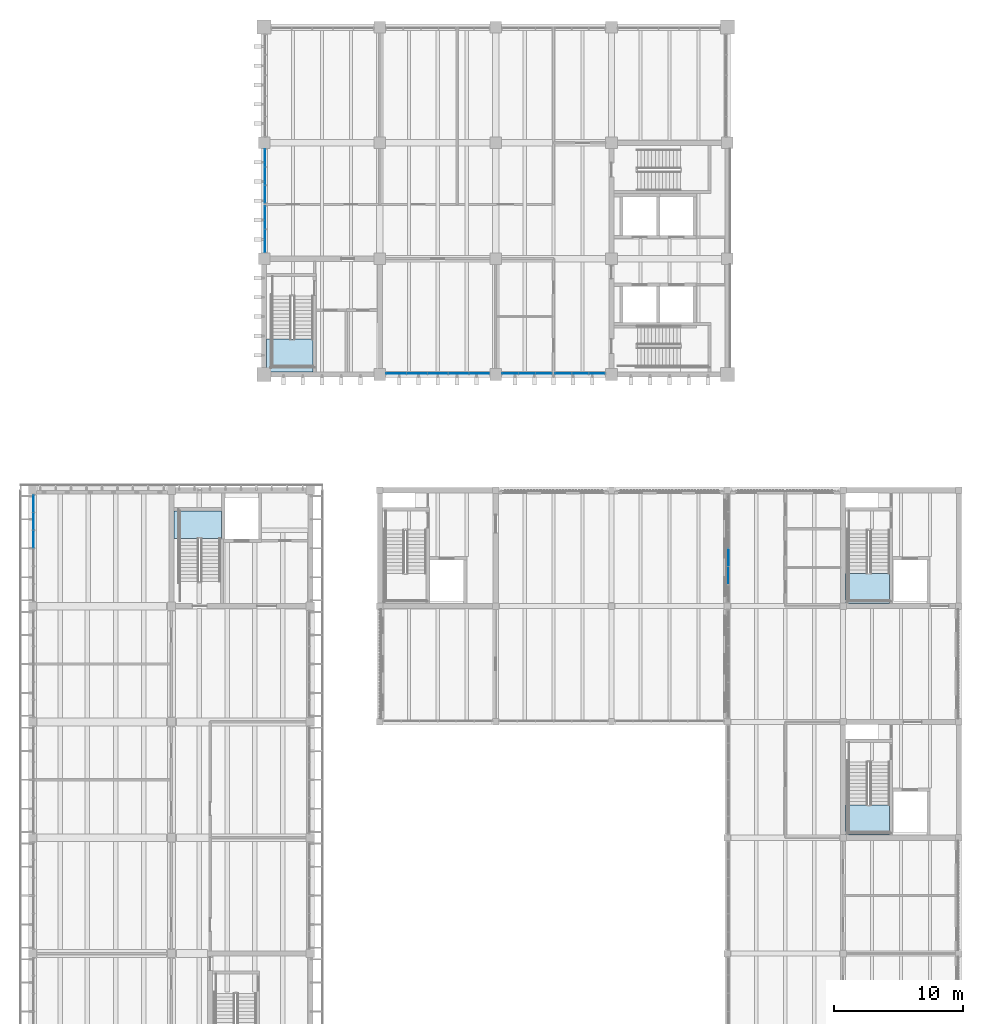
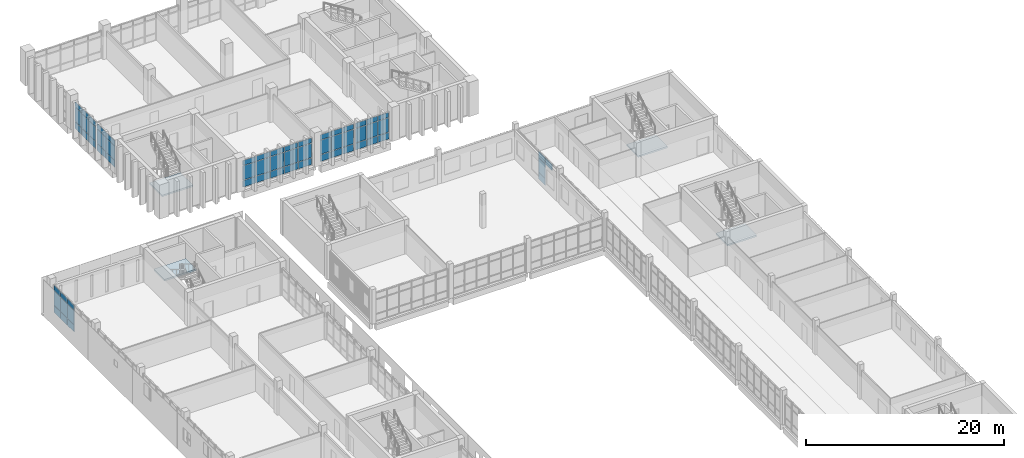
# One storey, part 44 of 92: 61 plates, 4 slabs, 11 elements without a shape of their own.
"""IFC4 building model written with IfcOpenShell, lengths in metres."""

import ifcopenshell
import ifcopenshell.guid

model = None  # the IFC model being written
_history = None  # IfcOwnerHistory: only IFC2X3 demands one
_inside = {}  # id of a spatial element -> (the spatial element, [elements in it])
_under = {}  # id of a project, library or spatial element -> (it, [spatial elements below it])
_declared = {}  # id of a project -> (the project, [libraries it declares])
_typed = {}  # id of a type object -> (the type object, [elements of that type])
_made_of = {}  # id of a material, layer set ... -> (it, [elements and type objects made of it])


def new_model(schema):
    """Start an empty IFC model of exactly this schema.

    Asked for "IFC4X3", IfcOpenShell would pick the latest addendum, in which some entities
    have other attributes; the version numbers below select the first issue.
    IFC2X3 requires an IfcOwnerHistory on every rooted entity: one is made here for all.
    """
    global model, _history
    if schema == "IFC4X3":
        model = ifcopenshell.file(schema_version=(4, 3, 0, 0))
    else:
        model = ifcopenshell.file(schema=schema)
    _inside.clear()
    _under.clear()
    _declared.clear()
    _typed.clear()
    _made_of.clear()
    _history = None
    if model.schema == "IFC2X3":
        org = make("IfcOrganization", Name="unknown")
        user = make(
            "IfcPersonAndOrganization",
            ThePerson=make("IfcPerson", FamilyName="unknown"),
            TheOrganization=org,
        )
        app = make(
            "IfcApplication",
            ApplicationDeveloper=org,
            Version="unknown",
            ApplicationFullName="unknown",
            ApplicationIdentifier="unknown",
        )
        _history = make(
            "IfcOwnerHistory",
            OwningUser=user,
            OwningApplication=app,
            ChangeAction="ADDED",
            CreationDate=0,
        )
    return model


def make(cls, **values):
    """One entity of the class cls with the attributes given. An attribute that is None is left unset."""
    return model.create_entity(
        cls, **{name: value for name, value in values.items() if value is not None}
    )


def rooted(cls, **values):
    """An entity with a GlobalId (a new one), such as an element, a storey or a relation."""
    return make(cls, GlobalId=ifcopenshell.guid.new(), OwnerHistory=_history, **values)


def si_unit(unit_type, name, prefix=None):
    """IfcSIUnit, for example si_unit("LENGTHUNIT", "METRE", prefix="MILLI")."""
    return make("IfcSIUnit", UnitType=unit_type, Prefix=prefix, Name=name)


def assignment(units):
    """IfcUnitAssignment: the units of a project."""
    return None if units is None else make("IfcUnitAssignment", Units=units)


def point(xyz):
    """IfcCartesianPoint."""
    return None if xyz is None else make("IfcCartesianPoint", Coordinates=xyz)


def direction(xyz):
    """IfcDirection."""
    return None if xyz is None else make("IfcDirection", DirectionRatios=xyz)


def frame(location, z_axis=None, x_axis=None):
    """IfcAxis2Placement3D, a coordinate frame: its origin and axes. An axis left out is left unset."""
    return make(
        "IfcAxis2Placement3D",
        Location=point(location),
        Axis=direction(z_axis),
        RefDirection=direction(x_axis),
    )


def frame_2d(location, x_axis=None):
    """IfcAxis2Placement2D, a coordinate frame in the plane: its origin and x axis."""
    return make(
        "IfcAxis2Placement2D", Location=point(location), RefDirection=direction(x_axis)
    )


def origin():
    """The frame at (0, 0, 0) with its axes left unset."""
    return frame((0.0, 0.0, 0.0))


def origin_2d():
    """The frame at (0, 0) in the plane with its x axis left unset."""
    return frame_2d((0.0, 0.0))


def place(relative_to, where):
    """IfcLocalPlacement: puts the frame where relative to a parent placement (None: the world)."""
    return make(
        "IfcLocalPlacement", PlacementRelTo=relative_to, RelativePlacement=where
    )


def context(
    kind, dimensions, precision=None, world=None, true_north=None, identifier=None
):
    """IfcGeometricRepresentationContext, for example the 3D "Model" context."""
    return make(
        "IfcGeometricRepresentationContext",
        ContextIdentifier=identifier,
        ContextType=kind,
        CoordinateSpaceDimension=dimensions,
        Precision=precision,
        WorldCoordinateSystem=world,
        TrueNorth=true_north,
    )


def subcontext(parent, identifier, kind, view, scale=None):
    """IfcGeometricRepresentationSubContext, for example "Body" below "Model"."""
    return make(
        "IfcGeometricRepresentationSubContext",
        ContextIdentifier=identifier,
        ContextType=kind,
        ParentContext=parent,
        TargetScale=scale,
        TargetView=view,
    )


def project(units=None, contexts=None):
    """IfcProject with its units and contexts."""
    return rooted(
        "IfcProject",
        Name="project",
        RepresentationContexts=contexts,
        UnitsInContext=assignment(units),
    )


def spatial(cls, under=None, at=None, **own):
    """A site, building, storey or space (cls), placed at a placement, below another one or the project."""
    s = rooted(cls, ObjectPlacement=at, **own)
    if under is not None:
        _under.setdefault(under.id(), (under, []))[1].append(s)
    return s


def polyline(points):
    """IfcPolyline through the points."""
    return make("IfcPolyline", Points=[point(p) for p in points])


def profile(cls, at=None, kind="AREA", **sizes):
    """A parametric profile (cls). Its sizes go by their IFC names, for example OverallWidth=200.0."""
    return make(cls, ProfileType=kind, Position=at, **sizes)


def rectangle(**sizes):
    """IfcRectangleProfileDef."""
    return profile("IfcRectangleProfileDef", **sizes)


def outline(outer, holes=None, kind="AREA"):
    """IfcArbitraryClosedProfileDef: a profile drawn as a closed curve; with holes, ...WithVoids."""
    if holes is None:
        return make("IfcArbitraryClosedProfileDef", ProfileType=kind, OuterCurve=outer)
    return make(
        "IfcArbitraryProfileDefWithVoids",
        ProfileType=kind,
        OuterCurve=outer,
        InnerCurves=holes,
    )


def extrude(swept, where, along, depth):
    """IfcExtrudedAreaSolid: the profile swept, set in the frame where, extruded along a direction by depth."""
    return make(
        "IfcExtrudedAreaSolid",
        SweptArea=swept,
        Position=where,
        ExtrudedDirection=direction(along),
        Depth=depth,
    )


def shape(context_of_items, identifier, shape_type, items):
    """IfcShapeRepresentation: the items that make up one representation, for example the "Body"."""
    return make(
        "IfcShapeRepresentation",
        ContextOfItems=context_of_items,
        RepresentationIdentifier=identifier,
        RepresentationType=shape_type,
        Items=items,
    )


def material(Name=None, Category=None):
    """IfcMaterial."""
    return make("IfcMaterial", Name=Name, Category=Category)


def layer(
    of_material, thickness, ventilated=None, Name=None, Category=None, Priority=None
):
    """IfcMaterialLayer: one layer of a wall or slab, of a material (None: an air gap)."""
    return make(
        "IfcMaterialLayer",
        Material=of_material,
        LayerThickness=thickness,
        IsVentilated=ventilated,
        Name=Name,
        Category=Category,
        Priority=Priority,
    )


def layer_set(layers, Name=None):
    """IfcMaterialLayerSet."""
    return make("IfcMaterialLayerSet", MaterialLayers=layers, LayerSetName=Name)


def made_of(thing, what):
    """Note that an element or type object is made of a material, layer set ...; save() writes the relation."""
    if what is not None:
        _made_of.setdefault(what.id(), (what, []))[1].append(thing)
    return thing


def type_object(cls, material=None, **own):
    """A type object (cls), such as IfcWallType, which elements share."""
    return made_of(rooted(cls, **own), material)


def element(
    cls,
    number,
    at=None,
    inside=None,
    cuts=None,
    type_object=None,
    material=None,
    context=None,
    identifier="Body",
    shape_type=None,
    held_by="IfcProductDefinitionShape",
    body=None,
    shapes=None,
    **own,
):
    """One element of the class cls, such as IfcWall. Its Tag is "e" and its number.

    at: its placement. inside: the storey or other place that contains it. cuts: it is an
    opening in that element (IfcRelVoidsElement). A single representation is given by context,
    identifier, shape_type and body (its items); several are given by shapes. held_by: the class
    of the entity that holds the representations. save() writes the other relations.
    """
    e = rooted(cls, Tag="e%d" % number, ObjectPlacement=at, **own)
    if body is not None:
        shapes = [shape(context, identifier, shape_type, body)]
    if shapes is not None:
        e.Representation = make(held_by, Representations=shapes)
    if inside is not None:
        _inside.setdefault(inside.id(), (inside, []))[1].append(e)
    if cuts is not None:
        rooted(
            "IfcRelVoidsElement", RelatingBuildingElement=cuts, RelatedOpeningElement=e
        )
    if type_object is not None:
        _typed.setdefault(type_object.id(), (type_object, []))[1].append(e)
    return made_of(e, material)


def aggregate(whole, parts):
    """IfcRelAggregates: a whole, such as a stair, and the parts it consists of."""
    return rooted("IfcRelAggregates", RelatingObject=whole, RelatedObjects=parts)


def save(model, path):
    """Write the relations noted so far, then the file.

    IfcRelAggregates (storeys below a building ...), IfcRelContainedInSpatialStructure (elements
    in a storey), IfcRelDefinesByType, IfcRelAssociatesMaterial and IfcRelDeclares: one each for
    every whole, place, type object, material and project.
    """
    for whole, parts in _under.values():
        aggregate(whole, parts)
    for where, things in _inside.values():
        rooted(
            "IfcRelContainedInSpatialStructure",
            RelatedElements=things,
            RelatingStructure=where,
        )
    for kind, things in _typed.values():
        rooted("IfcRelDefinesByType", RelatedObjects=things, RelatingType=kind)
    for what, things in _made_of.values():
        rooted("IfcRelAssociatesMaterial", RelatedObjects=things, RelatingMaterial=what)
    for by, libraries in _declared.values():
        rooted("IfcRelDeclares", RelatingContext=by, RelatedDefinitions=libraries)
    model.write(path)


model = new_model("IFC4")

# Units and contexts
model_context = context("Model", 3, precision=1e-05, world=origin(), true_north=direction((0.0, 1.0)))
body_context = subcontext(model_context, "Body", "Model", "MODEL_VIEW")
ifc_project = project(units=[si_unit("LENGTHUNIT", "METRE"), si_unit("AREAUNIT", "SQUARE_METRE"), si_unit("VOLUMEUNIT", "CUBIC_METRE"), si_unit("PLANEANGLEUNIT", "RADIAN"), si_unit("MASSUNIT", "GRAM", prefix="KILO")], contexts=[model_context])

# Site, building, storey
site_placement = place(None, origin())
site = spatial("IfcSite", under=ifc_project, at=site_placement, CompositionType="ELEMENT")
building_placement = place(site_placement, origin())
building = spatial("IfcBuilding", under=site, at=building_placement, Name="Merrow Basin Faculty of Sciences", CompositionType="ELEMENT")
storey_placement = place(building_placement, frame((0.0, 0.0, 4.5)))
storey = spatial("IfcBuildingStorey", under=building, at=storey_placement, Name="L01", CompositionType="ELEMENT", Elevation=4.5)

# Curtain wall, plates
ifc_material_1 = material(Name="Aluminium alloy 6063", Category="aluminium")
curtain_wall_type_1 = type_object("IfcCurtainWallType", Name="Bar unitised curtain wall 180", PredefinedType="NOTDEFINED", material=ifc_material_1)
curtain_wall_1_placement = place(storey_placement, origin())
curtain_wall_1 = element("IfcCurtainWall", 1, at=curtain_wall_1_placement, inside=storey, type_object=curtain_wall_type_1, Name="West curtain wall L01 7", PredefinedType="NOTDEFINED")
ifc_material_2 = material(Name="Insulated aluminium spandrel panel", Category="aluminium")
ifc_layer_1 = layer(ifc_material_2, 0.052001953125)
ifc_layer_set_1 = layer_set([ifc_layer_1], Name="Insulated spandrel panel 52")
plate_type_1 = type_object("IfcPlateType", Name="Insulated spandrel panel 52", PredefinedType="CURTAIN_PANEL", material=ifc_layer_set_1)
plate_1_placement = place(storey_placement, frame((0.090087890625, 129.19580078125, 0.06005859375), z_axis=(0.0, 0.0, 1.0), x_axis=(0.0, 1.0, 0.0)))
plate_1 = element("IfcPlate", 2, at=plate_1_placement, type_object=plate_type_1, Name="CW1 panel 4.1", PredefinedType="CURTAIN_PANEL", context=body_context, shape_type="SweptSolid", body=[
    extrude(rectangle(XDim=1.331787109375, YDim=0.052001953125, at=origin_2d()), origin(), (0.0, 0.0, 1.0), 0.81005859375),
])
plate_2_placement = place(storey_placement, frame((0.090087890625, 130.58740234375, 0.06005859375), z_axis=(0.0, 0.0, 1.0), x_axis=(0.0, 1.0, 0.0)))
plate_2 = element("IfcPlate", 3, at=plate_2_placement, type_object=plate_type_1, Name="CW1 panel 5.1", PredefinedType="CURTAIN_PANEL", context=body_context, shape_type="SweptSolid", body=[
    extrude(rectangle(XDim=1.331787109375, YDim=0.052001953125, at=origin_2d()), origin(), (0.0, 0.0, 1.0), 0.81005859375),
])
plate_3_placement = place(storey_placement, frame((0.090087890625, 131.964111328125, 0.06005859375), z_axis=(0.0, 0.0, 1.0), x_axis=(0.0, 1.0, 0.0)))
plate_3 = element("IfcPlate", 4, at=plate_3_placement, type_object=plate_type_1, Name="CW1 panel 6.1", PredefinedType="CURTAIN_PANEL", context=body_context, shape_type="SweptSolid", body=[
    extrude(rectangle(XDim=1.3017578125, YDim=0.052001953125, at=origin_2d()), origin(), (0.0, 0.0, 1.0), 0.81005859375),
])

# Curtain wall, plate
ifc_material_3 = material(Name="Aluminium alloy 6063", Category="aluminium")
curtain_wall_type_2 = type_object("IfcCurtainWallType", Name="Court curtain wall 140", PredefinedType="NOTDEFINED", material=ifc_material_3)
curtain_wall_2_placement = place(storey_placement, origin())
curtain_wall_2 = element("IfcCurtainWall", 5, at=curtain_wall_2_placement, inside=storey, type_object=curtain_wall_type_2, Name="Court curtain wall L01 8", PredefinedType="NOTDEFINED")
plate_4_placement = place(storey_placement, frame((54.070068359375, 127.791748046875, 0.06005859375), z_axis=(0.0, 0.0, 1.0), x_axis=(0.0, 1.0, 0.0)))
plate_4 = element("IfcPlate", 6, at=plate_4_placement, type_object=plate_type_1, Name="CW8 panel 3.1", PredefinedType="CURTAIN_PANEL", context=body_context, shape_type="SweptSolid", body=[
    extrude(rectangle(XDim=1.356689453125, YDim=0.052001953125, at=origin_2d()), origin(), (0.0, 0.0, 1.0), 0.81005859375),
])

# Curtain wall, plates
ifc_material_4 = material(Name="Aluminium alloy 6063", Category="aluminium")
curtain_wall_type_3 = type_object("IfcCurtainWallType", Name="Unitised curtain wall 160", PredefinedType="NOTDEFINED", material=ifc_material_4)
curtain_wall_3_placement = place(storey_placement, origin())
curtain_wall_3 = element("IfcCurtainWall", 7, at=curtain_wall_3_placement, inside=storey, type_object=curtain_wall_type_3, Name="W curtain wall L01 1", PredefinedType="NOTDEFINED")
plate_5_placement = place(storey_placement, frame((18.080078125, 152.3837890625, 0.06005859375), z_axis=(0.0, 0.0, 1.0), x_axis=(0.0, 1.0, 0.0)))
plate_5 = element("IfcPlate", 8, at=plate_5_placement, type_object=plate_type_1, Name="CW3 panel 1.1", PredefinedType="CURTAIN_PANEL", context=body_context, shape_type="SweptSolid", body=[
    extrude(rectangle(XDim=1.74755859375, YDim=0.052001953125, at=origin_2d()), origin(), (0.0, 0.0, 1.0), 0.81005859375),
])
plate_6_placement = place(storey_placement, frame((18.080078125, 154.191162109375, 0.06005859375), z_axis=(0.0, 0.0, 1.0), x_axis=(0.0, 1.0, 0.0)))
plate_6 = element("IfcPlate", 9, at=plate_6_placement, type_object=plate_type_1, Name="CW3 panel 2.1", PredefinedType="CURTAIN_PANEL", context=body_context, shape_type="SweptSolid", body=[
    extrude(rectangle(XDim=1.74755859375, YDim=0.052001953125, at=origin_2d()), origin(), (0.0, 0.0, 1.0), 0.81005859375),
])

curtain_wall_4_placement = place(storey_placement, origin())
curtain_wall_4 = element("IfcCurtainWall", 10, at=curtain_wall_4_placement, inside=storey, type_object=curtain_wall_type_3, Name="W curtain wall L01 2", PredefinedType="NOTDEFINED")
plate_7_placement = place(storey_placement, frame((18.080078125, 156.00244140625, 0.06005859375), z_axis=(0.0, 0.0, 1.0), x_axis=(0.0, 1.0, 0.0)))
plate_7 = element("IfcPlate", 11, at=plate_7_placement, type_object=plate_type_1, Name="CW3 panel 1.1", PredefinedType="CURTAIN_PANEL", context=body_context, shape_type="SweptSolid", body=[
    extrude(rectangle(XDim=1.3349609375, YDim=0.052001953125, at=origin_2d()), origin(), (0.0, 0.0, 1.0), 0.81005859375),
])
plate_8_placement = place(storey_placement, frame((18.080078125, 157.41259765625, 0.06005859375), z_axis=(0.0, 0.0, 1.0), x_axis=(0.0, 1.0, 0.0)))
plate_8 = element("IfcPlate", 12, at=plate_8_placement, type_object=plate_type_1, Name="CW3 panel 2.1", PredefinedType="CURTAIN_PANEL", context=body_context, shape_type="SweptSolid", body=[
    extrude(rectangle(XDim=1.364990234375, YDim=0.052001953125, at=origin_2d()), origin(), (0.0, 0.0, 1.0), 0.81005859375),
])
plate_9_placement = place(storey_placement, frame((18.080078125, 158.822509765625, 0.06005859375), z_axis=(0.0, 0.0, 1.0), x_axis=(0.0, 1.0, 0.0)))
plate_9 = element("IfcPlate", 13, at=plate_9_placement, type_object=plate_type_1, Name="CW3 panel 3.1", PredefinedType="CURTAIN_PANEL", context=body_context, shape_type="SweptSolid", body=[
    extrude(rectangle(XDim=1.3349609375, YDim=0.052001953125, at=origin_2d()), origin(), (0.0, 0.0, 1.0), 0.81005859375),
])

curtain_wall_5_placement = place(storey_placement, origin())
curtain_wall_5 = element("IfcCurtainWall", 14, at=curtain_wall_5_placement, inside=storey, type_object=curtain_wall_type_3, Name="S curtain wall L01 1", PredefinedType="NOTDEFINED")
plate_10_placement = place(storey_placement, frame((28.27490234375, 142.080078125, 0.06005859375), z_axis=(0.0, 0.0, 1.0), x_axis=(1.0, 0.0, 0.0)))
plate_10 = element("IfcPlate", 15, at=plate_10_placement, type_object=plate_type_1, Name="CW3 panel 1.1", PredefinedType="CURTAIN_PANEL", context=body_context, shape_type="SweptSolid", body=[
    extrude(rectangle(XDim=1.530029296875, YDim=0.052001953125, at=origin_2d()), origin(), (0.0, 0.0, 1.0), 0.81005859375),
])
plate_11_placement = place(storey_placement, frame((29.8798828125, 142.080078125, 0.06005859375), z_axis=(0.0, 0.0, 1.0), x_axis=(1.0, 0.0, 0.0)))
plate_11 = element("IfcPlate", 16, at=plate_11_placement, type_object=plate_type_1, Name="CW3 panel 2.1", PredefinedType="CURTAIN_PANEL", context=body_context, shape_type="SweptSolid", body=[
    extrude(rectangle(XDim=1.56005859375, YDim=0.052001953125, at=origin_2d()), origin(), (0.0, 0.0, 1.0), 0.81005859375),
])
plate_12_placement = place(storey_placement, frame((31.5, 142.080078125, 0.06005859375), z_axis=(0.0, 0.0, 1.0), x_axis=(1.0, 0.0, 0.0)))
plate_12 = element("IfcPlate", 17, at=plate_12_placement, type_object=plate_type_1, Name="CW3 panel 3.1", PredefinedType="CURTAIN_PANEL", context=body_context, shape_type="SweptSolid", body=[
    extrude(rectangle(XDim=1.56005859375, YDim=0.052001953125, at=origin_2d()), origin(), (0.0, 0.0, 1.0), 0.81005859375),
])
plate_13_placement = place(storey_placement, frame((33.1201171875, 142.080078125, 0.06005859375), z_axis=(0.0, 0.0, 1.0), x_axis=(1.0, 0.0, 0.0)))
plate_13 = element("IfcPlate", 18, at=plate_13_placement, type_object=plate_type_1, Name="CW3 panel 4.1", PredefinedType="CURTAIN_PANEL", context=body_context, shape_type="SweptSolid", body=[
    extrude(rectangle(XDim=1.56005859375, YDim=0.052001953125, at=origin_2d()), origin(), (0.0, 0.0, 1.0), 0.81005859375),
])
plate_14_placement = place(storey_placement, frame((34.72509765625, 142.080078125, 0.06005859375), z_axis=(0.0, 0.0, 1.0), x_axis=(1.0, 0.0, 0.0)))
plate_14 = element("IfcPlate", 19, at=plate_14_placement, type_object=plate_type_1, Name="CW3 panel 5.1", PredefinedType="CURTAIN_PANEL", context=body_context, shape_type="SweptSolid", body=[
    extrude(rectangle(XDim=1.530029296875, YDim=0.052001953125, at=origin_2d()), origin(), (0.0, 0.0, 1.0), 0.81005859375),
])

curtain_wall_6_placement = place(storey_placement, origin())
curtain_wall_6 = element("IfcCurtainWall", 20, at=curtain_wall_6_placement, inside=storey, type_object=curtain_wall_type_3, Name="S curtain wall L01 2", PredefinedType="NOTDEFINED")
plate_15_placement = place(storey_placement, frame((37.12744140625, 142.080078125, 0.06005859375), z_axis=(0.0, 0.0, 1.0), x_axis=(1.0, 0.0, 0.0)))
plate_15 = element("IfcPlate", 21, at=plate_15_placement, type_object=plate_type_1, Name="CW3 panel 1.1", PredefinedType="CURTAIN_PANEL", context=body_context, shape_type="SweptSolid", body=[
    extrude(rectangle(XDim=1.235107421875, YDim=0.052001953125, at=origin_2d()), origin(), (0.0, 0.0, 1.0), 0.81005859375),
])
plate_16_placement = place(storey_placement, frame((38.4375, 142.080078125, 0.06005859375), z_axis=(0.0, 0.0, 1.0), x_axis=(1.0, 0.0, 0.0)))
plate_16 = element("IfcPlate", 22, at=plate_16_placement, type_object=plate_type_1, Name="CW3 panel 2.1", PredefinedType="CURTAIN_PANEL", context=body_context, shape_type="SweptSolid", body=[
    extrude(rectangle(XDim=1.264892578125, YDim=0.052001953125, at=origin_2d()), origin(), (0.0, 0.0, 1.0), 0.81005859375),
])
plate_17_placement = place(storey_placement, frame((39.74755859375, 142.080078125, 0.06005859375), z_axis=(0.0, 0.0, 1.0), x_axis=(1.0, 0.0, 0.0)))
plate_17 = element("IfcPlate", 23, at=plate_17_placement, type_object=plate_type_1, Name="CW3 panel 3.1", PredefinedType="CURTAIN_PANEL", context=body_context, shape_type="SweptSolid", body=[
    extrude(rectangle(XDim=1.235107421875, YDim=0.052001953125, at=origin_2d()), origin(), (0.0, 0.0, 1.0), 0.81005859375),
])

curtain_wall_7_placement = place(storey_placement, origin())
curtain_wall_7 = element("IfcCurtainWall", 24, at=curtain_wall_7_placement, inside=storey, type_object=curtain_wall_type_3, Name="S curtain wall L01 3", PredefinedType="NOTDEFINED")
plate_18_placement = place(storey_placement, frame((41.25244140625, 142.080078125, 0.06005859375), z_axis=(0.0, 0.0, 1.0), x_axis=(1.0, 0.0, 0.0)))
plate_18 = element("IfcPlate", 25, at=plate_18_placement, type_object=plate_type_1, Name="CW3 panel 1.1", PredefinedType="CURTAIN_PANEL", context=body_context, shape_type="SweptSolid", body=[
    extrude(rectangle(XDim=1.235107421875, YDim=0.052001953125, at=origin_2d()), origin(), (0.0, 0.0, 1.0), 0.81005859375),
])
plate_19_placement = place(storey_placement, frame((42.5625, 142.080078125, 0.06005859375), z_axis=(0.0, 0.0, 1.0), x_axis=(1.0, 0.0, 0.0)))
plate_19 = element("IfcPlate", 26, at=plate_19_placement, type_object=plate_type_1, Name="CW3 panel 2.1", PredefinedType="CURTAIN_PANEL", context=body_context, shape_type="SweptSolid", body=[
    extrude(rectangle(XDim=1.264892578125, YDim=0.052001953125, at=origin_2d()), origin(), (0.0, 0.0, 1.0), 0.81005859375),
])
plate_20_placement = place(storey_placement, frame((43.87255859375, 142.080078125, 0.06005859375), z_axis=(0.0, 0.0, 1.0), x_axis=(1.0, 0.0, 0.0)))
plate_20 = element("IfcPlate", 27, at=plate_20_placement, type_object=plate_type_1, Name="CW3 panel 3.1", PredefinedType="CURTAIN_PANEL", context=body_context, shape_type="SweptSolid", body=[
    extrude(rectangle(XDim=1.235107421875, YDim=0.052001953125, at=origin_2d()), origin(), (0.0, 0.0, 1.0), 0.81005859375),
])

# Plate
ifc_material_5 = material(Name="Low-E double glazing", Category="glass")
ifc_layer_2 = layer(ifc_material_5, 0.028076171875)
ifc_layer_set_2 = layer_set([ifc_layer_2], Name="Low-E double glazed panel 28")
plate_type_2 = type_object("IfcPlateType", Name="Low-E double glazed panel 28", PredefinedType="CURTAIN_PANEL", material=ifc_layer_set_2)
plate_21_placement = place(storey_placement, frame((0.090087890625, 129.19580078125, 0.93017578125), z_axis=(0.0, 0.0, 1.0), x_axis=(0.0, 1.0, 0.0)))
plate_21 = element("IfcPlate", 28, at=plate_21_placement, type_object=plate_type_2, Name="CW1 panel 4.2", PredefinedType="CURTAIN_PANEL", context=body_context, shape_type="SweptSolid", body=[
    extrude(rectangle(XDim=1.331787109375, YDim=0.028076171875, at=origin_2d()), origin(), (0.0, 0.0, 1.0), 1.739990234375),
])

plate_22_placement = place(storey_placement, frame((0.090087890625, 129.19580078125, 2.72998046875), z_axis=(0.0, 0.0, 1.0), x_axis=(0.0, 1.0, 0.0)))
plate_22 = element("IfcPlate", 29, at=plate_22_placement, type_object=plate_type_2, Name="CW1 panel 4.3", PredefinedType="CURTAIN_PANEL", context=body_context, shape_type="SweptSolid", body=[
    extrude(rectangle(XDim=1.331787109375, YDim=0.028076171875, at=origin_2d()), origin(), (0.0, 0.0, 1.0), 0.610107421875),
])

plate_23_placement = place(storey_placement, frame((0.090087890625, 130.58740234375, 0.93017578125), z_axis=(0.0, 0.0, 1.0), x_axis=(0.0, 1.0, 0.0)))
plate_23 = element("IfcPlate", 30, at=plate_23_placement, type_object=plate_type_2, Name="CW1 panel 5.2", PredefinedType="CURTAIN_PANEL", context=body_context, shape_type="SweptSolid", body=[
    extrude(rectangle(XDim=1.331787109375, YDim=0.028076171875, at=origin_2d()), origin(), (0.0, 0.0, 1.0), 1.739990234375),
])

plate_24_placement = place(storey_placement, frame((0.090087890625, 130.58740234375, 2.72998046875), z_axis=(0.0, 0.0, 1.0), x_axis=(0.0, 1.0, 0.0)))
plate_24 = element("IfcPlate", 31, at=plate_24_placement, type_object=plate_type_2, Name="CW1 panel 5.3", PredefinedType="CURTAIN_PANEL", context=body_context, shape_type="SweptSolid", body=[
    extrude(rectangle(XDim=1.331787109375, YDim=0.028076171875, at=origin_2d()), origin(), (0.0, 0.0, 1.0), 0.610107421875),
])

plate_25_placement = place(storey_placement, frame((0.090087890625, 131.964111328125, 0.93017578125), z_axis=(0.0, 0.0, 1.0), x_axis=(0.0, 1.0, 0.0)))
plate_25 = element("IfcPlate", 32, at=plate_25_placement, type_object=plate_type_2, Name="CW1 panel 6.2", PredefinedType="CURTAIN_PANEL", context=body_context, shape_type="SweptSolid", body=[
    extrude(rectangle(XDim=1.3017578125, YDim=0.028076171875, at=origin_2d()), origin(), (0.0, 0.0, 1.0), 1.739990234375),
])

plate_26_placement = place(storey_placement, frame((0.090087890625, 131.964111328125, 2.72998046875), z_axis=(0.0, 0.0, 1.0), x_axis=(0.0, 1.0, 0.0)))
plate_26 = element("IfcPlate", 33, at=plate_26_placement, type_object=plate_type_2, Name="CW1 panel 6.3", PredefinedType="CURTAIN_PANEL", context=body_context, shape_type="SweptSolid", body=[
    extrude(rectangle(XDim=1.3017578125, YDim=0.028076171875, at=origin_2d()), origin(), (0.0, 0.0, 1.0), 0.610107421875),
])

aggregate(curtain_wall_1, [plate_1, plate_21, plate_22, plate_2, plate_23, plate_24, plate_3, plate_25, plate_26])

plate_27_placement = place(storey_placement, frame((54.070068359375, 126.375, 2.72998046875), z_axis=(0.0, 0.0, 1.0), x_axis=(0.0, 1.0, 0.0)))
plate_27 = element("IfcPlate", 34, at=plate_27_placement, type_object=plate_type_2, Name="CW8 panel 2.3", PredefinedType="CURTAIN_PANEL", context=body_context, shape_type="SweptSolid", body=[
    extrude(rectangle(XDim=1.356689453125, YDim=0.028076171875, at=origin_2d()), origin(), (0.0, 0.0, 1.0), 0.760009765625),
])

plate_28_placement = place(storey_placement, frame((54.070068359375, 127.791748046875, 0.93017578125), z_axis=(0.0, 0.0, 1.0), x_axis=(0.0, 1.0, 0.0)))
plate_28 = element("IfcPlate", 35, at=plate_28_placement, type_object=plate_type_2, Name="CW8 panel 3.2", PredefinedType="CURTAIN_PANEL", context=body_context, shape_type="SweptSolid", body=[
    extrude(rectangle(XDim=1.356689453125, YDim=0.028076171875, at=origin_2d()), origin(), (0.0, 0.0, 1.0), 1.739990234375),
])

plate_29_placement = place(storey_placement, frame((54.070068359375, 127.791748046875, 2.72998046875), z_axis=(0.0, 0.0, 1.0), x_axis=(0.0, 1.0, 0.0)))
plate_29 = element("IfcPlate", 36, at=plate_29_placement, type_object=plate_type_2, Name="CW8 panel 3.3", PredefinedType="CURTAIN_PANEL", context=body_context, shape_type="SweptSolid", body=[
    extrude(rectangle(XDim=1.356689453125, YDim=0.028076171875, at=origin_2d()), origin(), (0.0, 0.0, 1.0), 0.760009765625),
])

aggregate(curtain_wall_2, [plate_27, plate_4, plate_28, plate_29])

plate_30_placement = place(storey_placement, frame((18.080078125, 152.3837890625, 0.93017578125), z_axis=(0.0, 0.0, 1.0), x_axis=(0.0, 1.0, 0.0)))
plate_30 = element("IfcPlate", 37, at=plate_30_placement, type_object=plate_type_2, Name="CW3 panel 1.2", PredefinedType="CURTAIN_PANEL", context=body_context, shape_type="SweptSolid", body=[
    extrude(rectangle(XDim=1.74755859375, YDim=0.028076171875, at=origin_2d()), origin(), (0.0, 0.0, 1.0), 1.739990234375),
])

plate_31_placement = place(storey_placement, frame((18.080078125, 152.3837890625, 2.72998046875), z_axis=(0.0, 0.0, 1.0), x_axis=(0.0, 1.0, 0.0)))
plate_31 = element("IfcPlate", 38, at=plate_31_placement, type_object=plate_type_2, Name="CW3 panel 1.3", PredefinedType="CURTAIN_PANEL", context=body_context, shape_type="SweptSolid", body=[
    extrude(rectangle(XDim=1.74755859375, YDim=0.028076171875, at=origin_2d()), origin(), (0.0, 0.0, 1.0), 0.610107421875),
])

plate_32_placement = place(storey_placement, frame((18.080078125, 154.191162109375, 0.93017578125), z_axis=(0.0, 0.0, 1.0), x_axis=(0.0, 1.0, 0.0)))
plate_32 = element("IfcPlate", 39, at=plate_32_placement, type_object=plate_type_2, Name="CW3 panel 2.2", PredefinedType="CURTAIN_PANEL", context=body_context, shape_type="SweptSolid", body=[
    extrude(rectangle(XDim=1.74755859375, YDim=0.028076171875, at=origin_2d()), origin(), (0.0, 0.0, 1.0), 1.739990234375),
])

plate_33_placement = place(storey_placement, frame((18.080078125, 154.191162109375, 2.72998046875), z_axis=(0.0, 0.0, 1.0), x_axis=(0.0, 1.0, 0.0)))
plate_33 = element("IfcPlate", 40, at=plate_33_placement, type_object=plate_type_2, Name="CW3 panel 2.3", PredefinedType="CURTAIN_PANEL", context=body_context, shape_type="SweptSolid", body=[
    extrude(rectangle(XDim=1.74755859375, YDim=0.028076171875, at=origin_2d()), origin(), (0.0, 0.0, 1.0), 0.610107421875),
])

aggregate(curtain_wall_3, [plate_5, plate_30, plate_31, plate_6, plate_32, plate_33])

plate_34_placement = place(storey_placement, frame((18.080078125, 156.00244140625, 0.93017578125), z_axis=(0.0, 0.0, 1.0), x_axis=(0.0, 1.0, 0.0)))
plate_34 = element("IfcPlate", 41, at=plate_34_placement, type_object=plate_type_2, Name="CW3 panel 1.2", PredefinedType="CURTAIN_PANEL", context=body_context, shape_type="SweptSolid", body=[
    extrude(rectangle(XDim=1.3349609375, YDim=0.028076171875, at=origin_2d()), origin(), (0.0, 0.0, 1.0), 1.739990234375),
])

plate_35_placement = place(storey_placement, frame((18.080078125, 156.00244140625, 2.72998046875), z_axis=(0.0, 0.0, 1.0), x_axis=(0.0, 1.0, 0.0)))
plate_35 = element("IfcPlate", 42, at=plate_35_placement, type_object=plate_type_2, Name="CW3 panel 1.3", PredefinedType="CURTAIN_PANEL", context=body_context, shape_type="SweptSolid", body=[
    extrude(rectangle(XDim=1.3349609375, YDim=0.028076171875, at=origin_2d()), origin(), (0.0, 0.0, 1.0), 0.610107421875),
])

plate_36_placement = place(storey_placement, frame((18.080078125, 157.41259765625, 0.93017578125), z_axis=(0.0, 0.0, 1.0), x_axis=(0.0, 1.0, 0.0)))
plate_36 = element("IfcPlate", 43, at=plate_36_placement, type_object=plate_type_2, Name="CW3 panel 2.2", PredefinedType="CURTAIN_PANEL", context=body_context, shape_type="SweptSolid", body=[
    extrude(rectangle(XDim=1.364990234375, YDim=0.028076171875, at=origin_2d()), origin(), (0.0, 0.0, 1.0), 1.739990234375),
])

plate_37_placement = place(storey_placement, frame((18.080078125, 157.41259765625, 2.72998046875), z_axis=(0.0, 0.0, 1.0), x_axis=(0.0, 1.0, 0.0)))
plate_37 = element("IfcPlate", 44, at=plate_37_placement, type_object=plate_type_2, Name="CW3 panel 2.3", PredefinedType="CURTAIN_PANEL", context=body_context, shape_type="SweptSolid", body=[
    extrude(rectangle(XDim=1.364990234375, YDim=0.028076171875, at=origin_2d()), origin(), (0.0, 0.0, 1.0), 0.610107421875),
])

plate_38_placement = place(storey_placement, frame((18.080078125, 158.822509765625, 0.93017578125), z_axis=(0.0, 0.0, 1.0), x_axis=(0.0, 1.0, 0.0)))
plate_38 = element("IfcPlate", 45, at=plate_38_placement, type_object=plate_type_2, Name="CW3 panel 3.2", PredefinedType="CURTAIN_PANEL", context=body_context, shape_type="SweptSolid", body=[
    extrude(rectangle(XDim=1.3349609375, YDim=0.028076171875, at=origin_2d()), origin(), (0.0, 0.0, 1.0), 1.739990234375),
])

plate_39_placement = place(storey_placement, frame((18.080078125, 158.822509765625, 2.72998046875), z_axis=(0.0, 0.0, 1.0), x_axis=(0.0, 1.0, 0.0)))
plate_39 = element("IfcPlate", 46, at=plate_39_placement, type_object=plate_type_2, Name="CW3 panel 3.3", PredefinedType="CURTAIN_PANEL", context=body_context, shape_type="SweptSolid", body=[
    extrude(rectangle(XDim=1.3349609375, YDim=0.028076171875, at=origin_2d()), origin(), (0.0, 0.0, 1.0), 0.610107421875),
])

aggregate(curtain_wall_4, [plate_7, plate_34, plate_35, plate_8, plate_36, plate_37, plate_9, plate_38, plate_39])

plate_40_placement = place(storey_placement, frame((28.27490234375, 142.080078125, 0.93017578125), z_axis=(0.0, 0.0, 1.0), x_axis=(1.0, 0.0, 0.0)))
plate_40 = element("IfcPlate", 47, at=plate_40_placement, type_object=plate_type_2, Name="CW3 panel 1.2", PredefinedType="CURTAIN_PANEL", context=body_context, shape_type="SweptSolid", body=[
    extrude(rectangle(XDim=1.530029296875, YDim=0.028076171875, at=origin_2d()), origin(), (0.0, 0.0, 1.0), 1.739990234375),
])

plate_41_placement = place(storey_placement, frame((28.27490234375, 142.080078125, 2.72998046875), z_axis=(0.0, 0.0, 1.0), x_axis=(1.0, 0.0, 0.0)))
plate_41 = element("IfcPlate", 48, at=plate_41_placement, type_object=plate_type_2, Name="CW3 panel 1.3", PredefinedType="CURTAIN_PANEL", context=body_context, shape_type="SweptSolid", body=[
    extrude(rectangle(XDim=1.530029296875, YDim=0.028076171875, at=origin_2d()), origin(), (0.0, 0.0, 1.0), 0.610107421875),
])

plate_42_placement = place(storey_placement, frame((29.8798828125, 142.080078125, 0.93017578125), z_axis=(0.0, 0.0, 1.0), x_axis=(1.0, 0.0, 0.0)))
plate_42 = element("IfcPlate", 49, at=plate_42_placement, type_object=plate_type_2, Name="CW3 panel 2.2", PredefinedType="CURTAIN_PANEL", context=body_context, shape_type="SweptSolid", body=[
    extrude(rectangle(XDim=1.56005859375, YDim=0.028076171875, at=origin_2d()), origin(), (0.0, 0.0, 1.0), 1.739990234375),
])

plate_43_placement = place(storey_placement, frame((29.8798828125, 142.080078125, 2.72998046875), z_axis=(0.0, 0.0, 1.0), x_axis=(1.0, 0.0, 0.0)))
plate_43 = element("IfcPlate", 50, at=plate_43_placement, type_object=plate_type_2, Name="CW3 panel 2.3", PredefinedType="CURTAIN_PANEL", context=body_context, shape_type="SweptSolid", body=[
    extrude(rectangle(XDim=1.56005859375, YDim=0.028076171875, at=origin_2d()), origin(), (0.0, 0.0, 1.0), 0.610107421875),
])

plate_44_placement = place(storey_placement, frame((31.5, 142.080078125, 0.93017578125), z_axis=(0.0, 0.0, 1.0), x_axis=(1.0, 0.0, 0.0)))
plate_44 = element("IfcPlate", 51, at=plate_44_placement, type_object=plate_type_2, Name="CW3 panel 3.2", PredefinedType="CURTAIN_PANEL", context=body_context, shape_type="SweptSolid", body=[
    extrude(rectangle(XDim=1.56005859375, YDim=0.028076171875, at=origin_2d()), origin(), (0.0, 0.0, 1.0), 1.739990234375),
])

plate_45_placement = place(storey_placement, frame((31.5, 142.080078125, 2.72998046875), z_axis=(0.0, 0.0, 1.0), x_axis=(1.0, 0.0, 0.0)))
plate_45 = element("IfcPlate", 52, at=plate_45_placement, type_object=plate_type_2, Name="CW3 panel 3.3", PredefinedType="CURTAIN_PANEL", context=body_context, shape_type="SweptSolid", body=[
    extrude(rectangle(XDim=1.56005859375, YDim=0.028076171875, at=origin_2d()), origin(), (0.0, 0.0, 1.0), 0.610107421875),
])

plate_46_placement = place(storey_placement, frame((33.1201171875, 142.080078125, 0.93017578125), z_axis=(0.0, 0.0, 1.0), x_axis=(1.0, 0.0, 0.0)))
plate_46 = element("IfcPlate", 53, at=plate_46_placement, type_object=plate_type_2, Name="CW3 panel 4.2", PredefinedType="CURTAIN_PANEL", context=body_context, shape_type="SweptSolid", body=[
    extrude(rectangle(XDim=1.56005859375, YDim=0.028076171875, at=origin_2d()), origin(), (0.0, 0.0, 1.0), 1.739990234375),
])

plate_47_placement = place(storey_placement, frame((33.1201171875, 142.080078125, 2.72998046875), z_axis=(0.0, 0.0, 1.0), x_axis=(1.0, 0.0, 0.0)))
plate_47 = element("IfcPlate", 54, at=plate_47_placement, type_object=plate_type_2, Name="CW3 panel 4.3", PredefinedType="CURTAIN_PANEL", context=body_context, shape_type="SweptSolid", body=[
    extrude(rectangle(XDim=1.56005859375, YDim=0.028076171875, at=origin_2d()), origin(), (0.0, 0.0, 1.0), 0.610107421875),
])

plate_48_placement = place(storey_placement, frame((34.72509765625, 142.080078125, 0.93017578125), z_axis=(0.0, 0.0, 1.0), x_axis=(1.0, 0.0, 0.0)))
plate_48 = element("IfcPlate", 55, at=plate_48_placement, type_object=plate_type_2, Name="CW3 panel 5.2", PredefinedType="CURTAIN_PANEL", context=body_context, shape_type="SweptSolid", body=[
    extrude(rectangle(XDim=1.530029296875, YDim=0.028076171875, at=origin_2d()), origin(), (0.0, 0.0, 1.0), 1.739990234375),
])

plate_49_placement = place(storey_placement, frame((34.72509765625, 142.080078125, 2.72998046875), z_axis=(0.0, 0.0, 1.0), x_axis=(1.0, 0.0, 0.0)))
plate_49 = element("IfcPlate", 56, at=plate_49_placement, type_object=plate_type_2, Name="CW3 panel 5.3", PredefinedType="CURTAIN_PANEL", context=body_context, shape_type="SweptSolid", body=[
    extrude(rectangle(XDim=1.530029296875, YDim=0.028076171875, at=origin_2d()), origin(), (0.0, 0.0, 1.0), 0.610107421875),
])

aggregate(curtain_wall_5, [plate_10, plate_40, plate_41, plate_11, plate_42, plate_43, plate_12, plate_44, plate_45, plate_13, plate_46, plate_47, plate_14, plate_48, plate_49])

plate_50_placement = place(storey_placement, frame((37.12744140625, 142.080078125, 0.93017578125), z_axis=(0.0, 0.0, 1.0), x_axis=(1.0, 0.0, 0.0)))
plate_50 = element("IfcPlate", 57, at=plate_50_placement, type_object=plate_type_2, Name="CW3 panel 1.2", PredefinedType="CURTAIN_PANEL", context=body_context, shape_type="SweptSolid", body=[
    extrude(rectangle(XDim=1.235107421875, YDim=0.028076171875, at=origin_2d()), origin(), (0.0, 0.0, 1.0), 1.739990234375),
])

plate_51_placement = place(storey_placement, frame((37.12744140625, 142.080078125, 2.72998046875), z_axis=(0.0, 0.0, 1.0), x_axis=(1.0, 0.0, 0.0)))
plate_51 = element("IfcPlate", 58, at=plate_51_placement, type_object=plate_type_2, Name="CW3 panel 1.3", PredefinedType="CURTAIN_PANEL", context=body_context, shape_type="SweptSolid", body=[
    extrude(rectangle(XDim=1.235107421875, YDim=0.028076171875, at=origin_2d()), origin(), (0.0, 0.0, 1.0), 0.610107421875),
])

plate_52_placement = place(storey_placement, frame((38.4375, 142.080078125, 0.93017578125), z_axis=(0.0, 0.0, 1.0), x_axis=(1.0, 0.0, 0.0)))
plate_52 = element("IfcPlate", 59, at=plate_52_placement, type_object=plate_type_2, Name="CW3 panel 2.2", PredefinedType="CURTAIN_PANEL", context=body_context, shape_type="SweptSolid", body=[
    extrude(rectangle(XDim=1.264892578125, YDim=0.028076171875, at=origin_2d()), origin(), (0.0, 0.0, 1.0), 1.739990234375),
])

plate_53_placement = place(storey_placement, frame((38.4375, 142.080078125, 2.72998046875), z_axis=(0.0, 0.0, 1.0), x_axis=(1.0, 0.0, 0.0)))
plate_53 = element("IfcPlate", 60, at=plate_53_placement, type_object=plate_type_2, Name="CW3 panel 2.3", PredefinedType="CURTAIN_PANEL", context=body_context, shape_type="SweptSolid", body=[
    extrude(rectangle(XDim=1.264892578125, YDim=0.028076171875, at=origin_2d()), origin(), (0.0, 0.0, 1.0), 0.610107421875),
])

plate_54_placement = place(storey_placement, frame((39.74755859375, 142.080078125, 0.93017578125), z_axis=(0.0, 0.0, 1.0), x_axis=(1.0, 0.0, 0.0)))
plate_54 = element("IfcPlate", 61, at=plate_54_placement, type_object=plate_type_2, Name="CW3 panel 3.2", PredefinedType="CURTAIN_PANEL", context=body_context, shape_type="SweptSolid", body=[
    extrude(rectangle(XDim=1.235107421875, YDim=0.028076171875, at=origin_2d()), origin(), (0.0, 0.0, 1.0), 1.739990234375),
])

plate_55_placement = place(storey_placement, frame((39.74755859375, 142.080078125, 2.72998046875), z_axis=(0.0, 0.0, 1.0), x_axis=(1.0, 0.0, 0.0)))
plate_55 = element("IfcPlate", 62, at=plate_55_placement, type_object=plate_type_2, Name="CW3 panel 3.3", PredefinedType="CURTAIN_PANEL", context=body_context, shape_type="SweptSolid", body=[
    extrude(rectangle(XDim=1.235107421875, YDim=0.028076171875, at=origin_2d()), origin(), (0.0, 0.0, 1.0), 0.610107421875),
])

aggregate(curtain_wall_6, [plate_15, plate_50, plate_51, plate_16, plate_52, plate_53, plate_17, plate_54, plate_55])

plate_56_placement = place(storey_placement, frame((41.25244140625, 142.080078125, 0.93017578125), z_axis=(0.0, 0.0, 1.0), x_axis=(1.0, 0.0, 0.0)))
plate_56 = element("IfcPlate", 63, at=plate_56_placement, type_object=plate_type_2, Name="CW3 panel 1.2", PredefinedType="CURTAIN_PANEL", context=body_context, shape_type="SweptSolid", body=[
    extrude(rectangle(XDim=1.235107421875, YDim=0.028076171875, at=origin_2d()), origin(), (0.0, 0.0, 1.0), 1.739990234375),
])

plate_57_placement = place(storey_placement, frame((41.25244140625, 142.080078125, 2.72998046875), z_axis=(0.0, 0.0, 1.0), x_axis=(1.0, 0.0, 0.0)))
plate_57 = element("IfcPlate", 64, at=plate_57_placement, type_object=plate_type_2, Name="CW3 panel 1.3", PredefinedType="CURTAIN_PANEL", context=body_context, shape_type="SweptSolid", body=[
    extrude(rectangle(XDim=1.235107421875, YDim=0.028076171875, at=origin_2d()), origin(), (0.0, 0.0, 1.0), 0.610107421875),
])

plate_58_placement = place(storey_placement, frame((42.5625, 142.080078125, 0.93017578125), z_axis=(0.0, 0.0, 1.0), x_axis=(1.0, 0.0, 0.0)))
plate_58 = element("IfcPlate", 65, at=plate_58_placement, type_object=plate_type_2, Name="CW3 panel 2.2", PredefinedType="CURTAIN_PANEL", context=body_context, shape_type="SweptSolid", body=[
    extrude(rectangle(XDim=1.264892578125, YDim=0.028076171875, at=origin_2d()), origin(), (0.0, 0.0, 1.0), 1.739990234375),
])

plate_59_placement = place(storey_placement, frame((42.5625, 142.080078125, 2.72998046875), z_axis=(0.0, 0.0, 1.0), x_axis=(1.0, 0.0, 0.0)))
plate_59 = element("IfcPlate", 66, at=plate_59_placement, type_object=plate_type_2, Name="CW3 panel 2.3", PredefinedType="CURTAIN_PANEL", context=body_context, shape_type="SweptSolid", body=[
    extrude(rectangle(XDim=1.264892578125, YDim=0.028076171875, at=origin_2d()), origin(), (0.0, 0.0, 1.0), 0.610107421875),
])

plate_60_placement = place(storey_placement, frame((43.87255859375, 142.080078125, 0.93017578125), z_axis=(0.0, 0.0, 1.0), x_axis=(1.0, 0.0, 0.0)))
plate_60 = element("IfcPlate", 67, at=plate_60_placement, type_object=plate_type_2, Name="CW3 panel 3.2", PredefinedType="CURTAIN_PANEL", context=body_context, shape_type="SweptSolid", body=[
    extrude(rectangle(XDim=1.235107421875, YDim=0.028076171875, at=origin_2d()), origin(), (0.0, 0.0, 1.0), 1.739990234375),
])

plate_61_placement = place(storey_placement, frame((43.87255859375, 142.080078125, 2.72998046875), z_axis=(0.0, 0.0, 1.0), x_axis=(1.0, 0.0, 0.0)))
plate_61 = element("IfcPlate", 68, at=plate_61_placement, type_object=plate_type_2, Name="CW3 panel 3.3", PredefinedType="CURTAIN_PANEL", context=body_context, shape_type="SweptSolid", body=[
    extrude(rectangle(XDim=1.235107421875, YDim=0.028076171875, at=origin_2d()), origin(), (0.0, 0.0, 1.0), 0.610107421875),
])

aggregate(curtain_wall_7, [plate_18, plate_56, plate_57, plate_19, plate_58, plate_59, plate_20, plate_60, plate_61])

# Stair, slab
ifc_material_6 = material(Name="Concrete C40/50", Category="concrete")
stair_type = type_object("IfcStairType", Name="Concrete dog-leg stair Concrete C40/50", PredefinedType="HALF_TURN_STAIR", material=ifc_material_6)
stair_1_placement = place(storey_placement, origin())
stair_1 = element("IfcStair", 69, at=stair_1_placement, inside=storey, type_object=stair_type, Name="L01 Exit stair N", PredefinedType="HALF_TURN_STAIR")
ifc_material_7 = material(Name="Concrete C40/50", Category="concrete")
ifc_layer_3 = layer(ifc_material_7, 0.199951171875)
ifc_layer_set_3 = layer_set([ifc_layer_3], Name="Stair landing 200 Concrete C40/50")
slab_type = type_object("IfcSlabType", Name="Stair landing 200 Concrete C40/50", PredefinedType="LANDING", material=ifc_layer_set_3)
slab_1_placement = place(storey_placement, frame((0.0, 0.0, 2.050048828125)))
slab_1 = element("IfcSlab", 70, at=slab_1_placement, type_object=slab_type, Name="ST-V4-N landing 1", PredefinedType="LANDING", context=body_context, shape_type="SweptSolid", body=[
    extrude(outline(polyline([(11.0, 129.260009765625), (14.699951171875, 129.260009765625), (14.699951171875, 131.39990234375), (11.0, 131.39990234375), (11.0, 129.260009765625)])), origin(), (0.0, 0.0, 1.0), 0.199951171875),
])
aggregate(stair_1, [slab_1])

stair_2_placement = place(storey_placement, origin())
stair_2 = element("IfcStair", 71, at=stair_2_placement, inside=storey, type_object=stair_type, Name="L01 Exit stair M", PredefinedType="HALF_TURN_STAIR")
slab_2_placement = place(storey_placement, frame((0.0, 0.0, 2.050048828125)))
slab_2 = element("IfcSlab", 72, at=slab_2_placement, type_object=slab_type, Name="ST-V2-M landing 1", PredefinedType="LANDING", context=body_context, shape_type="SweptSolid", body=[
    extrude(outline(polyline([(63.199951171875, 106.199951171875), (66.60009765625, 106.199951171875), (66.60009765625, 108.5400390625), (63.199951171875, 108.5400390625), (63.199951171875, 106.199951171875)])), origin(), (0.0, 0.0, 1.0), 0.199951171875),
])
aggregate(stair_2, [slab_2])

stair_3_placement = place(storey_placement, origin())
stair_3 = element("IfcStair", 73, at=stair_3_placement, inside=storey, type_object=stair_type, Name="L01 Exit stair N", PredefinedType="HALF_TURN_STAIR")
slab_3_placement = place(storey_placement, frame((0.0, 0.0, 2.050048828125)))
slab_3 = element("IfcSlab", 74, at=slab_3_placement, type_object=slab_type, Name="ST-V2-N landing 1", PredefinedType="LANDING", context=body_context, shape_type="SweptSolid", body=[
    extrude(outline(polyline([(63.199951171875, 124.199951171875), (66.60009765625, 124.199951171875), (66.60009765625, 126.5400390625), (63.199951171875, 126.5400390625), (63.199951171875, 124.199951171875)])), origin(), (0.0, 0.0, 1.0), 0.199951171875),
])
aggregate(stair_3, [slab_3])

stair_4_placement = place(storey_placement, origin())
stair_4 = element("IfcStair", 75, at=stair_4_placement, inside=storey, type_object=stair_type, Name="L01 Exit stair W", PredefinedType="HALF_TURN_STAIR")
slab_4_placement = place(storey_placement, frame((0.0, 0.0, 2.050048828125)))
slab_4 = element("IfcSlab", 76, at=slab_4_placement, type_object=slab_type, Name="ST-V5-W landing 1", PredefinedType="LANDING", context=body_context, shape_type="SweptSolid", body=[
    extrude(outline(polyline([(18.199951171875, 142.199951171875), (21.800048828125, 142.199951171875), (21.800048828125, 144.739990234375), (18.199951171875, 144.739990234375), (18.199951171875, 142.199951171875)])), origin(), (0.0, 0.0, 1.0), 0.199951171875),
])
aggregate(stair_4, [slab_4])

save(model, "model.ifc")
